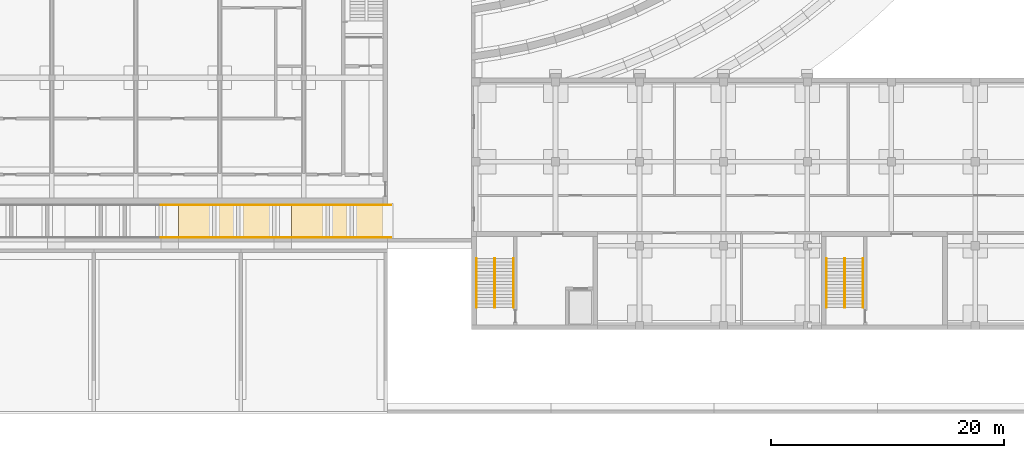
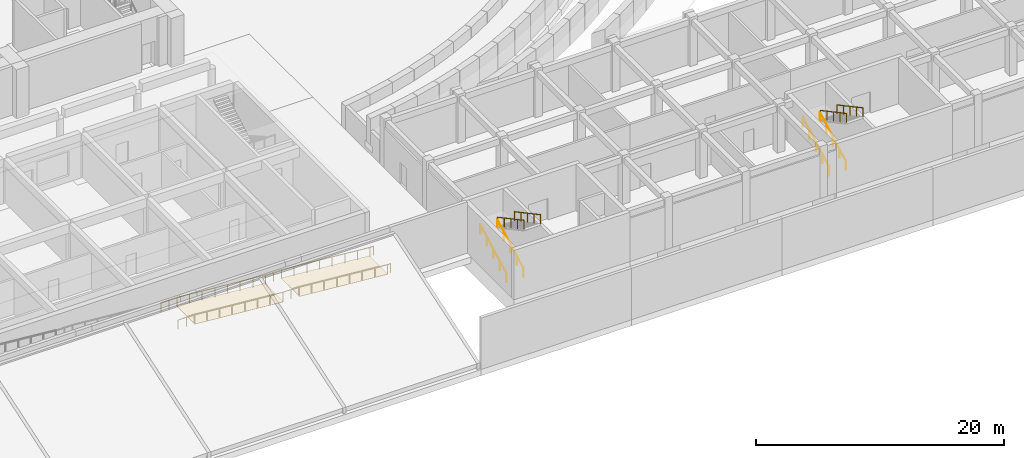
# One storey, part 65 of 73: 12 railings, 2 coverings.
"""IFC4 building model written with IfcOpenShell, lengths in metres."""

from ifc_helpers import new_model, si_unit, direction, frame, origin, origin_2d, place, context, subcontext, project, spatial, polyline, circle, outline, extrude, material, layer, layer_set, type_object, element, save


model = new_model("IFC4")

# Units and contexts
model_context = context("Model", 3, precision=1e-05, world=origin(), true_north=direction((0.0, 1.0)))
body_context = subcontext(model_context, "Body", "Model", "MODEL_VIEW")
ifc_project = project(units=[si_unit("LENGTHUNIT", "METRE"), si_unit("AREAUNIT", "SQUARE_METRE"), si_unit("VOLUMEUNIT", "CUBIC_METRE"), si_unit("PLANEANGLEUNIT", "RADIAN"), si_unit("MASSUNIT", "GRAM", prefix="KILO")], contexts=[model_context])

# Site, building, storey
site_placement = place(None, origin())
site = spatial("IfcSite", under=ifc_project, at=site_placement, CompositionType="ELEMENT")
building_placement = place(site_placement, origin())
building = spatial("IfcBuilding", under=site, at=building_placement, Name="Alderwick Market Hall", CompositionType="ELEMENT")
storey_placement = place(building_placement, origin())
storey = spatial("IfcBuildingStorey", under=building, at=storey_placement, Name="LG", CompositionType="ELEMENT", Elevation=0.0)

# Railings
ifc_material_1 = material(Name="Steel ASTM A500 Grade C", Category="steel")
railing_type_1 = type_object("IfcRailingType", Name="C Stair Handrail 900", PredefinedType="HANDRAIL", material=ifc_material_1)
for number, where, name in (
    (1, (158.820068359375, 9.10009765625, 0.14990234375), "C.rail.LG.A.1"),
    (2, (160.3798828125, 9.10009765625, 0.14990234375), "C.rail.LG.A.2"),
):
    element("IfcRailing", number, at=place(storey_placement, frame(where)), inside=storey, type_object=railing_type_1, Name=name, PredefinedType="HANDRAIL", context=body_context, shape_type="SweptSolid", body=[
        extrude(circle(Radius=0.02392578125, at=origin_2d()), frame((0.0, 0.0, 0.8759765625), z_axis=(0.0, 0.881477684796, 0.472225678258), x_axis=(-1.0, 0.0, 0.0)), (0.0, 0.0, 1.0), 4.7646484375),
        extrude(circle(Radius=0.02099609375, at=origin_2d()), origin(), (0.0, 0.0, 1.0), 0.851806640625),
        extrude(circle(Radius=0.02099609375, at=origin_2d()), frame((0.0, 1.050048828125, 0.5625)), (0.0, 0.0, 1.0), 0.851806640625),
        extrude(circle(Radius=0.02099609375, at=origin_2d()), frame((0.0, 2.10009765625, 1.125)), (0.0, 0.0, 1.0), 0.851806640625),
        extrude(circle(Radius=0.02099609375, at=origin_2d()), frame((0.0, 3.14990234375, 1.6875)), (0.0, 0.0, 1.0), 0.851806640625),
        extrude(circle(Radius=0.02099609375, at=origin_2d()), frame((0.0, 4.199951171875, 2.25)), (0.0, 0.0, 1.0), 0.851806640625),
    ])
for number, where, name in (
    (3, (160.419921875, 13.300048828125, 2.550048828125), "C.rail.LG.A.3"),
    (4, (161.97998046875, 13.300048828125, 2.550048828125), "C.rail.LG.A.4"),
):
    element("IfcRailing", number, at=place(storey_placement, frame(where)), inside=storey, type_object=railing_type_1, Name=name, PredefinedType="HANDRAIL", context=body_context, shape_type="SweptSolid", body=[
        extrude(circle(Radius=0.02392578125, at=origin_2d()), frame((0.0, 0.0, 0.8759765625), z_axis=(0.0, -0.881477684796, 0.472225678258), x_axis=(1.0, 0.0, 0.0)), (0.0, 0.0, 1.0), 4.7646484375),
        extrude(circle(Radius=0.02099609375, at=origin_2d()), origin(), (0.0, 0.0, 1.0), 0.851806640625),
        extrude(circle(Radius=0.02099609375, at=origin_2d()), frame((0.0, -1.050048828125, 0.5625)), (0.0, 0.0, 1.0), 0.851806640625),
        extrude(circle(Radius=0.02099609375, at=origin_2d()), frame((0.0, -2.10009765625, 1.125)), (0.0, 0.0, 1.0), 0.851806640625),
        extrude(circle(Radius=0.02099609375, at=origin_2d()), frame((0.0, -3.14990234375, 1.6875)), (0.0, 0.0, 1.0), 0.851806640625),
        extrude(circle(Radius=0.02099609375, at=origin_2d()), frame((0.0, -4.199951171875, 2.25)), (0.0, 0.0, 1.0), 0.851806640625),
    ])
for number, where, name in (
    (5, (188.820068359375, 9.10009765625, 0.14990234375), "C.rail.LG.B.1"),
    (6, (190.3798828125, 9.10009765625, 0.14990234375), "C.rail.LG.B.2"),
):
    element("IfcRailing", number, at=place(storey_placement, frame(where)), inside=storey, type_object=railing_type_1, Name=name, PredefinedType="HANDRAIL", context=body_context, shape_type="SweptSolid", body=[
        extrude(circle(Radius=0.02392578125, at=origin_2d()), frame((0.0, 0.0, 0.8759765625), z_axis=(0.0, 0.881477684796, 0.472225678258), x_axis=(-1.0, 0.0, 0.0)), (0.0, 0.0, 1.0), 4.7646484375),
        extrude(circle(Radius=0.02099609375, at=origin_2d()), origin(), (0.0, 0.0, 1.0), 0.851806640625),
        extrude(circle(Radius=0.02099609375, at=origin_2d()), frame((0.0, 1.050048828125, 0.5625)), (0.0, 0.0, 1.0), 0.851806640625),
        extrude(circle(Radius=0.02099609375, at=origin_2d()), frame((0.0, 2.10009765625, 1.125)), (0.0, 0.0, 1.0), 0.851806640625),
        extrude(circle(Radius=0.02099609375, at=origin_2d()), frame((0.0, 3.14990234375, 1.6875)), (0.0, 0.0, 1.0), 0.851806640625),
        extrude(circle(Radius=0.02099609375, at=origin_2d()), frame((0.0, 4.199951171875, 2.25)), (0.0, 0.0, 1.0), 0.851806640625),
    ])
for number, where, name in (
    (7, (190.419921875, 13.300048828125, 2.550048828125), "C.rail.LG.B.3"),
    (8, (191.97998046875, 13.300048828125, 2.550048828125), "C.rail.LG.B.4"),
):
    element("IfcRailing", number, at=place(storey_placement, frame(where)), inside=storey, type_object=railing_type_1, Name=name, PredefinedType="HANDRAIL", context=body_context, shape_type="SweptSolid", body=[
        extrude(circle(Radius=0.02392578125, at=origin_2d()), frame((0.0, 0.0, 0.8759765625), z_axis=(0.0, -0.881477684796, 0.472225678258), x_axis=(1.0, 0.0, 0.0)), (0.0, 0.0, 1.0), 4.7646484375),
        extrude(circle(Radius=0.02099609375, at=origin_2d()), origin(), (0.0, 0.0, 1.0), 0.851806640625),
        extrude(circle(Radius=0.02099609375, at=origin_2d()), frame((0.0, -1.050048828125, 0.5625)), (0.0, 0.0, 1.0), 0.851806640625),
        extrude(circle(Radius=0.02099609375, at=origin_2d()), frame((0.0, -2.10009765625, 1.125)), (0.0, 0.0, 1.0), 0.851806640625),
        extrude(circle(Radius=0.02099609375, at=origin_2d()), frame((0.0, -3.14990234375, 1.6875)), (0.0, 0.0, 1.0), 0.851806640625),
        extrude(circle(Radius=0.02099609375, at=origin_2d()), frame((0.0, -4.199951171875, 2.25)), (0.0, 0.0, 1.0), 0.851806640625),
    ])
railing_type_2 = type_object("IfcRailingType", Name="S Handrail 900", PredefinedType="HANDRAIL", material=ifc_material_1)
railing_1_placement = place(storey_placement, frame((151.5048828125, 17.89990234375, 0.030029296875)))
element("IfcRailing", 9, at=railing_1_placement, inside=storey, type_object=railing_type_2, Name="Ramp S1 handrail L", PredefinedType="HANDRAIL", context=body_context, shape_type="SweptSolid", body=[
    extrude(circle(Radius=0.02490234375, at=origin_2d()), frame((0.0, 0.0, 0.875), z_axis=(-1.0, 0.0, 0.0), x_axis=(0.0, -1.0, 0.0)), (0.0, 0.0, 1.0), 0.304931640625),
    extrude(circle(Radius=0.02490234375, at=origin_2d()), frame((-0.304931640625, 0.0, 0.875), z_axis=(-0.996545350429, 0.0, 0.083050373505), x_axis=(0.0, -1.0, 0.0)), (0.0, 0.0, 1.0), 8.257568359375),
    extrude(circle(Radius=0.02490234375, at=origin_2d()), frame((-8.533935546875, 0.0, 1.560546875), z_axis=(-1.0, 0.0, 0.0), x_axis=(0.0, -1.0, 0.0)), (0.0, 0.0, 1.0), 1.5),
    extrude(circle(Radius=0.02001953125, at=origin_2d()), origin(), (0.0, 0.0, 1.0), 0.849853515625),
    extrude(circle(Radius=0.02001953125, at=origin_2d()), frame((-0.304931640625, 0.0, 0.0)), (0.0, 0.0, 1.0), 0.849853515625),
    extrude(circle(Radius=0.02001953125, at=origin_2d()), frame((-1.48046875, 0.0, 0.097900390625)), (0.0, 0.0, 1.0), 0.849853515625),
    extrude(circle(Radius=0.02001953125, at=origin_2d()), frame((-2.656005859375, 0.0, 0.196044921875)), (0.0, 0.0, 1.0), 0.849853515625),
    extrude(circle(Radius=0.02001953125, at=origin_2d()), frame((-3.83154296875, 0.0, 0.2939453125)), (0.0, 0.0, 1.0), 0.849853515625),
    extrude(circle(Radius=0.02001953125, at=origin_2d()), frame((-5.00732421875, 0.0, 0.391845703125)), (0.0, 0.0, 1.0), 0.849853515625),
    extrude(circle(Radius=0.02001953125, at=origin_2d()), frame((-6.182861328125, 0.0, 0.48974609375)), (0.0, 0.0, 1.0), 0.849853515625),
    extrude(circle(Radius=0.02001953125, at=origin_2d()), frame((-7.3583984375, 0.0, 0.587890625)), (0.0, 0.0, 1.0), 0.849853515625),
    extrude(circle(Radius=0.02001953125, at=origin_2d()), frame((-8.533935546875, 0.0, 0.685791015625)), (0.0, 0.0, 1.0), 0.849853515625),
    extrude(circle(Radius=0.02001953125, at=origin_2d()), frame((-9.283935546875, 0.0, 0.685791015625)), (0.0, 0.0, 1.0), 0.849853515625),
    extrude(circle(Radius=0.02001953125, at=origin_2d()), frame((-10.033935546875, 0.0, 0.685791015625)), (0.0, 0.0, 1.0), 0.849853515625),
])
railing_2_placement = place(storey_placement, frame((151.5048828125, 15.10009765625, 0.030029296875)))
element("IfcRailing", 10, at=railing_2_placement, inside=storey, type_object=railing_type_2, Name="Ramp S1 handrail R", PredefinedType="HANDRAIL", context=body_context, shape_type="SweptSolid", body=[
    extrude(circle(Radius=0.02490234375, at=origin_2d()), frame((0.0, 0.0, 0.875), z_axis=(-1.0, 0.0, 0.0), x_axis=(0.0, -1.0, 0.0)), (0.0, 0.0, 1.0), 0.304931640625),
    extrude(circle(Radius=0.02490234375, at=origin_2d()), frame((-0.304931640625, 0.0, 0.875), z_axis=(-0.996545350429, 0.0, 0.083050373505), x_axis=(0.0, -1.0, 0.0)), (0.0, 0.0, 1.0), 8.257568359375),
    extrude(circle(Radius=0.02490234375, at=origin_2d()), frame((-8.533935546875, 0.0, 1.560546875), z_axis=(-1.0, 0.0, 0.0), x_axis=(0.0, -1.0, 0.0)), (0.0, 0.0, 1.0), 1.5),
    extrude(circle(Radius=0.02001953125, at=origin_2d()), origin(), (0.0, 0.0, 1.0), 0.849853515625),
    extrude(circle(Radius=0.02001953125, at=origin_2d()), frame((-0.304931640625, 0.0, 0.0)), (0.0, 0.0, 1.0), 0.849853515625),
    extrude(circle(Radius=0.02001953125, at=origin_2d()), frame((-1.48046875, 0.0, 0.097900390625)), (0.0, 0.0, 1.0), 0.849853515625),
    extrude(circle(Radius=0.02001953125, at=origin_2d()), frame((-2.656005859375, 0.0, 0.196044921875)), (0.0, 0.0, 1.0), 0.849853515625),
    extrude(circle(Radius=0.02001953125, at=origin_2d()), frame((-3.83154296875, 0.0, 0.2939453125)), (0.0, 0.0, 1.0), 0.849853515625),
    extrude(circle(Radius=0.02001953125, at=origin_2d()), frame((-5.00732421875, 0.0, 0.391845703125)), (0.0, 0.0, 1.0), 0.849853515625),
    extrude(circle(Radius=0.02001953125, at=origin_2d()), frame((-6.182861328125, 0.0, 0.48974609375)), (0.0, 0.0, 1.0), 0.849853515625),
    extrude(circle(Radius=0.02001953125, at=origin_2d()), frame((-7.3583984375, 0.0, 0.587890625)), (0.0, 0.0, 1.0), 0.849853515625),
    extrude(circle(Radius=0.02001953125, at=origin_2d()), frame((-8.533935546875, 0.0, 0.685791015625)), (0.0, 0.0, 1.0), 0.849853515625),
    extrude(circle(Radius=0.02001953125, at=origin_2d()), frame((-9.283935546875, 0.0, 0.685791015625)), (0.0, 0.0, 1.0), 0.849853515625),
    extrude(circle(Radius=0.02001953125, at=origin_2d()), frame((-10.033935546875, 0.0, 0.685791015625)), (0.0, 0.0, 1.0), 0.849853515625),
])
for number, where, name in (
    (11, (141.470947265625, 17.89990234375, 0.7158203125), "Ramp S2 handrail L"),
    (12, (141.470947265625, 15.10009765625, 0.7158203125), "Ramp S2 handrail R"),
):
    element("IfcRailing", number, at=place(storey_placement, frame(where)), inside=storey, type_object=railing_type_2, Name=name, PredefinedType="HANDRAIL", context=body_context, shape_type="SweptSolid", body=[
        extrude(circle(Radius=0.02490234375, at=origin_2d()), frame((0.0, 0.0, 0.875), z_axis=(-0.996546981697, 0.0, 0.083030797122), x_axis=(0.0, -1.0, 0.0)), (0.0, 0.0, 1.0), 8.256591796875),
        extrude(circle(Radius=0.02490234375, at=origin_2d()), frame((-8.22802734375, 0.0, 1.560546875), z_axis=(-1.0, 0.0, 0.0), x_axis=(0.0, -1.0, 0.0)), (0.0, 0.0, 1.0), 1.5),
        extrude(circle(Radius=0.02001953125, at=origin_2d()), origin(), (0.0, 0.0, 1.0), 0.849853515625),
        extrude(circle(Radius=0.02001953125, at=origin_2d()), frame((-1.175537109375, 0.0, 0.097900390625)), (0.0, 0.0, 1.0), 0.849853515625),
        extrude(circle(Radius=0.02001953125, at=origin_2d()), frame((-2.350830078125, 0.0, 0.19580078125)), (0.0, 0.0, 1.0), 0.849853515625),
        extrude(circle(Radius=0.02001953125, at=origin_2d()), frame((-3.5263671875, 0.0, 0.293701171875)), (0.0, 0.0, 1.0), 0.849853515625),
        extrude(circle(Radius=0.02001953125, at=origin_2d()), frame((-4.70166015625, 0.0, 0.391845703125)), (0.0, 0.0, 1.0), 0.849853515625),
        extrude(circle(Radius=0.02001953125, at=origin_2d()), frame((-5.877197265625, 0.0, 0.48974609375)), (0.0, 0.0, 1.0), 0.849853515625),
        extrude(circle(Radius=0.02001953125, at=origin_2d()), frame((-7.052490234375, 0.0, 0.587646484375)), (0.0, 0.0, 1.0), 0.849853515625),
        extrude(circle(Radius=0.02001953125, at=origin_2d()), frame((-8.22802734375, 0.0, 0.685546875)), (0.0, 0.0, 1.0), 0.849853515625),
        extrude(circle(Radius=0.02001953125, at=origin_2d()), frame((-8.97802734375, 0.0, 0.685546875)), (0.0, 0.0, 1.0), 0.849853515625),
        extrude(circle(Radius=0.02001953125, at=origin_2d()), frame((-9.72802734375, 0.0, 0.685546875)), (0.0, 0.0, 1.0), 0.849853515625),
    ])

# Coverings
ifc_material_2 = material(Name="Non-slip surfacing on concrete", Category="concrete")
ifc_layer = layer(ifc_material_2, 0.030029296875)
ifc_layer_set = layer_set([ifc_layer], Name="Non-slip surfacing on concrete")
covering_type = type_object("IfcCoveringType", Name="S Ramp Surfacing 30", PredefinedType="USERDEFINED", material=ifc_layer_set)
covering_1_placement = place(storey_placement, frame((151.199951171875, 15.0, 0.030029296875), z_axis=(0.083050373505, 0.0, 0.996545350429), x_axis=(-0.996545350429, 0.0, 0.083050373505)))
element("IfcCovering", 13, at=covering_1_placement, inside=storey, type_object=covering_type, Name="Ramp surfacing S1", ObjectType="RAMP SURFACING", PredefinedType="USERDEFINED", context=body_context, shape_type="SweptSolid", body=[
    extrude(outline(polyline([(0.0, 0.0), (8.257530781425507, 0.0), (8.257530781425507, -3.0), (0.0, -3.0), (0.0, 0.0)])), origin(), (0.0, 0.0, -1.0), 0.030029296875),
])
covering_2_placement = place(storey_placement, frame((141.470947265625, 15.0, 0.7158203125), z_axis=(0.083060162531, 0.0, 0.996544534579), x_axis=(-0.996544534579, 0.0, 0.083060162531)))
element("IfcCovering", 14, at=covering_2_placement, inside=storey, type_object=covering_type, Name="Ramp surfacing S2", ObjectType="RAMP SURFACING", PredefinedType="USERDEFINED", context=body_context, shape_type="SweptSolid", body=[
    extrude(outline(polyline([(0.0, 0.0), (8.25655759300507, 0.0), (8.25655759300507, -3.0), (0.0, -3.0), (0.0, 0.0)])), origin(), (0.0, 0.0, -1.0), 0.030029296875),
])

save(model, "model.ifc")
